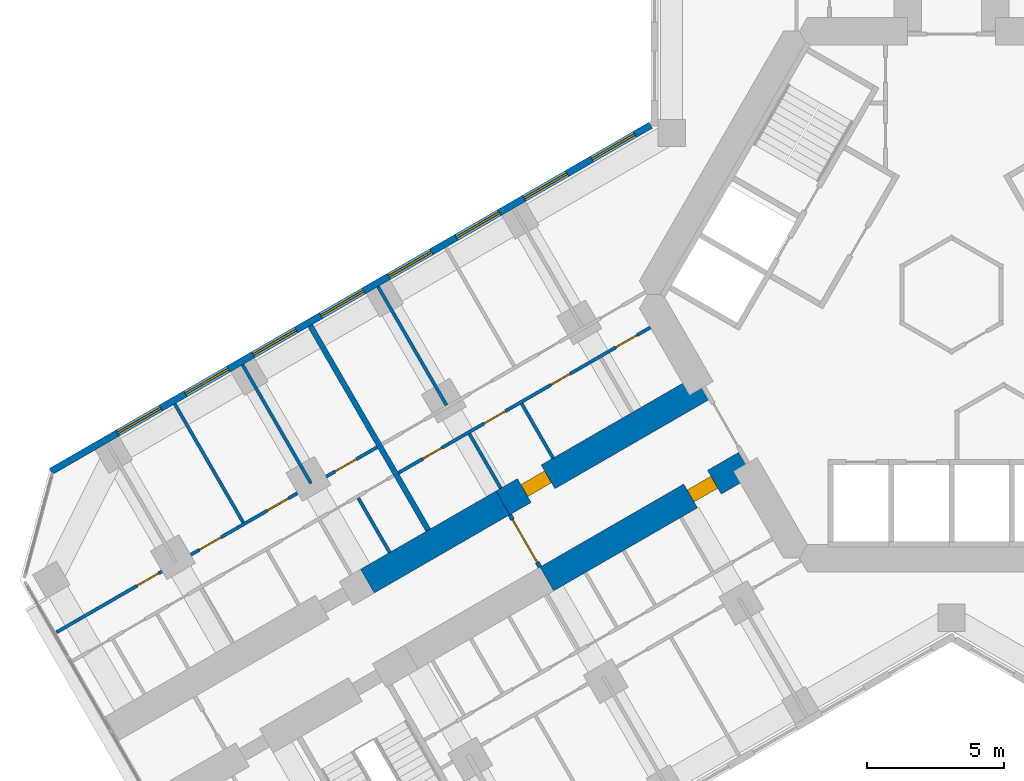
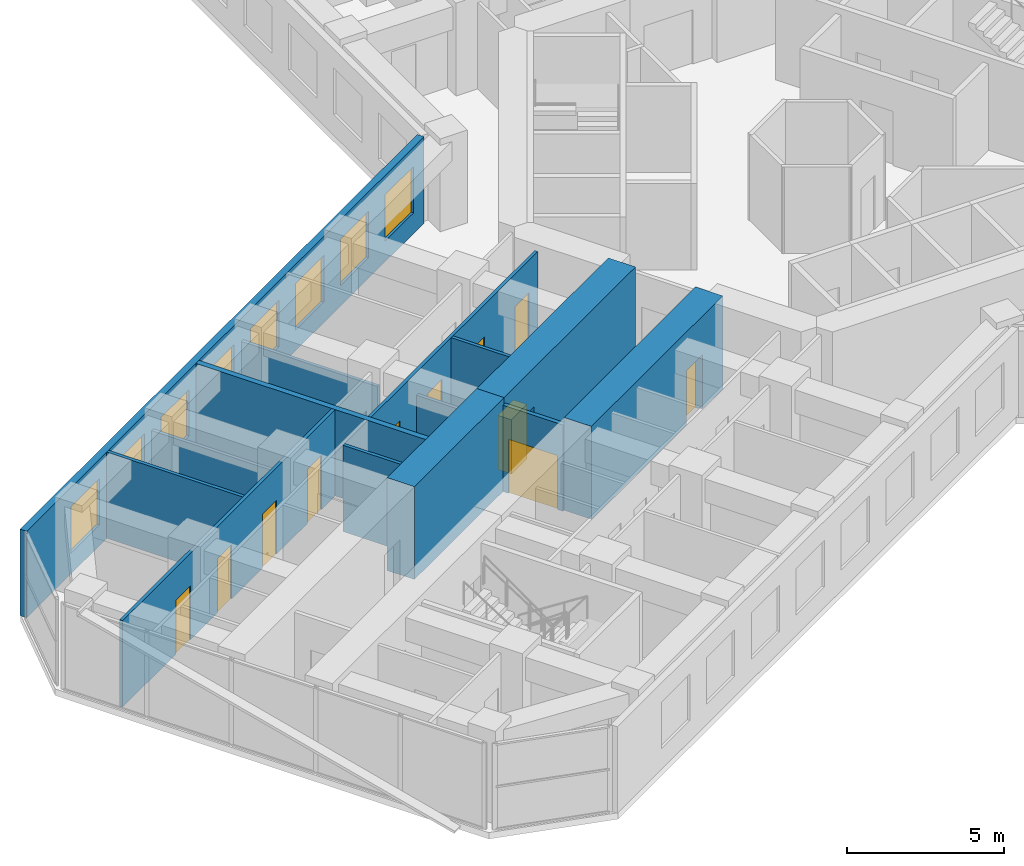
# One storey, part 12 of 21: 14 walls, 11 doors, 8 windows, 19 openings.
"""IFC4 building model written with IfcOpenShell, lengths in metres."""

from ifc_helpers import new_model, si_unit, direction, frame, frame_2d, origin, place, context, subcontext, project, spatial, rectangle, extrude, material, layer, layer_set, type_object, element, fill, save


model = new_model("IFC4")

# Units and contexts
model_context = context("Model", 3, precision=1e-05, world=origin(), true_north=direction((0.0, 1.0)))
body_context = subcontext(model_context, "Body", "Model", "MODEL_VIEW")
ifc_project = project(units=[si_unit("LENGTHUNIT", "METRE"), si_unit("AREAUNIT", "SQUARE_METRE"), si_unit("VOLUMEUNIT", "CUBIC_METRE"), si_unit("PLANEANGLEUNIT", "RADIAN"), si_unit("MASSUNIT", "GRAM", prefix="KILO")], contexts=[model_context])

# Site, building, storey
site_placement = place(None, origin())
site = spatial("IfcSite", under=ifc_project, at=site_placement, CompositionType="ELEMENT")
building_placement = place(site_placement, origin())
building = spatial("IfcBuilding", under=site, at=building_placement, Name="Kosmar Iwan School Tower", CompositionType="ELEMENT")
storey_placement = place(building_placement, frame((0.0, 0.0, 57.39990234375)))
storey = spatial("IfcBuildingStorey", under=building, at=storey_placement, Name="L13", CompositionType="ELEMENT", Elevation=57.39990234375)

# Wall, opening, door
ifc_material_1 = material(Name="Concrete C50/60", Category="concrete")
ifc_layer_1 = layer(ifc_material_1, 1.0)
ifc_layer_set_1 = layer_set([ifc_layer_1], Name="Corridor buttress wall 1000")
wall_type_1 = type_object("IfcWallType", Name="Corridor buttress wall 1000", PredefinedType="SHEAR", material=ifc_layer_set_1)
wall_1_placement = place(storey_placement, frame((-7.513916015625, -6.185546875, 0.0), z_axis=(0.0, 0.0, 1.0), x_axis=(-0.866019549707, -0.500010139422, 0.0)))
wall_1 = element("IfcWall", 1, at=wall_1_placement, inside=storey, type_object=wall_type_1, Name="Corridor wall BL", PredefinedType="SHEAR", context=body_context, shape_type="SweptSolid", body=[
    extrude(rectangle(XDim=8.349853515625, YDim=1.0, at=frame_2d((4.1748046875, 0.0))), origin(), (0.0, 0.0, 1.0), 3.60009765625),
])
opening_1_placement = place(wall_1_placement, frame((1.300048828125, 0.0, 0.0)))
opening_1 = element("IfcOpeningElement", 2, at=opening_1_placement, cuts=wall_1, Name="Opening D1", PredefinedType="OPENING", context=body_context, shape_type="SweptSolid", body=[
    extrude(rectangle(XDim=1.0, YDim=2.10009765625, at=frame_2d((0.5, 1.050048828125))), frame((0.0, 0.511962890625, 0.0), z_axis=(0.0, -1.0, 0.0), x_axis=(1.0, 0.0, 0.0)), (0.0, 0.0, 1.0), 1.02392578125),
])
ifc_material_2 = material(Name="Timber fire door in steel frame", Category="steel")
door_type_1 = type_object("IfcDoorType", Name="Flat entrance door 1000x2100", OperationType="SINGLE_SWING_LEFT", PredefinedType="DOOR", material=ifc_material_2)
door_1_placement = place(opening_1_placement, origin())
door_1 = element("IfcDoor", 3, at=door_1_placement, inside=storey, type_object=door_type_1, Name="Flat L13-BL1 entrance door", OperationType="SINGLE_SWING_RIGHT", OverallHeight=2.10009765625, OverallWidth=1.0, PredefinedType="DOOR", context=body_context, shape_type="SweptSolid", body=[
    extrude(rectangle(XDim=1.0, YDim=2.10009765625, at=frame_2d((0.5, 1.050048828125))), frame((0.0, 0.25, 0.0), z_axis=(0.0, -1.0, 0.0), x_axis=(1.0, 0.0, 0.0)), (0.0, 0.0, 1.0), 0.5),
])
fill(opening_1, door_1)

wall_2_placement = place(storey_placement, frame((-9.11376953125, -3.414306640625, 0.0), z_axis=(0.0, 0.0, 1.0), x_axis=(-0.866026859388, -0.499997478812, 0.0)))
wall_2 = element("IfcWall", 4, at=wall_2_placement, inside=storey, type_object=wall_type_1, Name="Corridor wall BR", PredefinedType="SHEAR", context=body_context, shape_type="SweptSolid", body=[
    extrude(rectangle(XDim=8.35009765625, YDim=1.0, at=frame_2d((4.175048828125, 0.0))), origin(), (0.0, 0.0, 1.0), 3.60009765625),
])
opening_2_placement = place(wall_2_placement, frame((6.449951171875, 0.0, 0.0)))
opening_2 = element("IfcOpeningElement", 5, at=opening_2_placement, cuts=wall_2, Name="Opening D1", PredefinedType="OPENING", context=body_context, shape_type="SweptSolid", body=[
    extrude(rectangle(XDim=1.0, YDim=2.10009765625, at=frame_2d((0.5, 1.050048828125))), frame((0.0, 0.511962890625, 0.0), z_axis=(0.0, -1.0, 0.0), x_axis=(1.0, 0.0, 0.0)), (0.0, 0.0, 1.0), 1.02392578125),
])
door_2_placement = place(opening_2_placement, origin())
door_2 = element("IfcDoor", 6, at=door_2_placement, inside=storey, type_object=door_type_1, Name="Flat L13-BR1 entrance door", OperationType="SINGLE_SWING_RIGHT", OverallHeight=2.10009765625, OverallWidth=1.0, PredefinedType="DOOR", context=body_context, shape_type="SweptSolid", body=[
    extrude(rectangle(XDim=1.0, YDim=2.10009765625, at=frame_2d((0.5, 1.050048828125))), frame((0.0, 0.25, 0.0), z_axis=(0.0, -1.0, 0.0), x_axis=(1.0, 0.0, 0.0)), (0.0, 0.0, 1.0), 0.5),
])
fill(opening_2, door_2)

# Wall
wall_3_placement = place(storey_placement, frame((-16.34521484375, -7.58935546875, 0.0), z_axis=(0.0, 0.0, 1.0), x_axis=(-0.866015111908, -0.50001782563, 0.0)))
element("IfcWall", 7, at=wall_3_placement, inside=storey, type_object=wall_type_1, Name="Corridor wall BR bay 2", PredefinedType="SHEAR", context=body_context, shape_type="SweptSolid", body=[
    extrude(rectangle(XDim=5.699951171875, YDim=1.0, at=frame_2d((2.85009765625, 0.0))), origin(), (0.0, 0.0, 1.0), 3.60009765625),
])

# Wall, opening, door
ifc_material_3 = material(Name="Gypsum board on steel studs, fire-rated", Category="steel")
ifc_layer_2 = layer(ifc_material_3, 0.14990234375)
ifc_layer_set_2 = layer_set([ifc_layer_2], Name="Corridor end wall 150")
wall_type_2 = type_object("IfcWallType", Name="Corridor end wall 150", PredefinedType="PARTITIONING", material=ifc_layer_set_2)
wall_4_placement = place(storey_placement, frame((-16.09521484375, -8.0224609375, 0.0), z_axis=(0.0, 0.0, 1.0), x_axis=(0.50002983664, -0.866008176907, 0.0)))
wall_4 = element("IfcWall", 8, at=wall_4_placement, inside=storey, type_object=wall_type_2, Name="Partition L13-B-HW", PredefinedType="PARTITIONING", context=body_context, shape_type="SweptSolid", body=[
    extrude(rectangle(XDim=2.199951171875, YDim=0.14990234375, at=frame_2d((1.10009765625, 0.0))), origin(), (0.0, 0.0, 1.0), 3.35009765625),
])
opening_3_placement = place(wall_4_placement, frame((0.199951171875, 0.0, 0.0)))
opening_3 = element("IfcOpeningElement", 9, at=opening_3_placement, cuts=wall_4, Name="Opening D9", PredefinedType="OPENING", context=body_context, shape_type="SweptSolid", body=[
    extrude(rectangle(XDim=1.800048828125, YDim=2.10009765625, at=frame_2d((0.89990234375, 1.050048828125))), frame((0.0, 0.0869140625, 0.0), z_axis=(0.0, -1.0, 0.0), x_axis=(1.0, 0.0, 0.0)), (0.0, 0.0, 1.0), 0.173828125),
])
ifc_material_4 = material(Name="Steel framed glazed smoke door", Category="steel")
door_type_2 = type_object("IfcDoorType", Name="Corridor smoke door pair 1800x2100", OperationType="DOUBLE_DOOR_DOUBLE_SWING", PredefinedType="DOOR", material=ifc_material_4)
door_3_placement = place(opening_3_placement, origin())
door_3 = element("IfcDoor", 10, at=door_3_placement, inside=storey, type_object=door_type_2, Name="Entrance vestibule smoke doors L13-B", OperationType="DOUBLE_DOOR_DOUBLE_SWING", OverallHeight=2.10009765625, OverallWidth=1.800048828125, PredefinedType="DOOR", context=body_context, shape_type="SweptSolid", body=[
    extrude(rectangle(XDim=1.800048828125, YDim=2.10009765625, at=frame_2d((0.89990234375, 1.050048828125))), frame((0.0, 0.02490234375, 0.0), z_axis=(0.0, -1.0, 0.0), x_axis=(1.0, 0.0, 0.0)), (0.0, 0.0, 1.0), 0.050048828125),
])
fill(opening_3, door_3)

# Wall, openings, doors
ifc_material_5 = material(Name="Gypsum board on steel studs", Category="steel")
ifc_layer_3 = layer(ifc_material_5, 0.1201171875)
ifc_layer_set_3 = layer_set([ifc_layer_3], Name="Dwelling partition 120")
wall_type_3 = type_object("IfcWallType", Name="Dwelling partition 120", PredefinedType="PARTITIONING", material=ifc_layer_set_3)
wall_5_placement = place(storey_placement, frame((-10.971923828125, -1.1962890625, 0.0), z_axis=(0.0, 0.0, 1.0), x_axis=(-0.866034853001, -0.49998363312, 0.0)))
wall_5 = element("IfcWall", 11, at=wall_5_placement, inside=storey, type_object=wall_type_3, Name="Partition L13-BR1-W1", PredefinedType="PARTITIONING", context=body_context, shape_type="SweptSolid", body=[
    extrude(rectangle(XDim=10.599853515625, YDim=0.1201171875, at=frame_2d((5.2998046875, 0.0))), origin(), (0.0, 0.0, 1.0), 3.35009765625),
])
opening_4_placement = place(wall_5_placement, frame((0.56005859375, 0.0, 0.0)))
opening_4 = element("IfcOpeningElement", 12, at=opening_4_placement, cuts=wall_5, Name="Opening D2", PredefinedType="OPENING", context=body_context, shape_type="SweptSolid", body=[
    extrude(rectangle(XDim=0.89990234375, YDim=2.10009765625, at=frame_2d((0.449951171875, 1.050048828125))), frame((0.0, 0.072021484375, 0.0), z_axis=(0.0, -1.0, 0.0), x_axis=(1.0, 0.0, 0.0)), (0.0, 0.0, 1.0), 0.14404296875),
])
opening_5_placement = place(wall_5_placement, frame((3.385009765625, 0.0, 0.0)))
opening_5 = element("IfcOpeningElement", 13, at=opening_5_placement, cuts=wall_5, Name="Opening D3", PredefinedType="OPENING", context=body_context, shape_type="SweptSolid", body=[
    extrude(rectangle(XDim=0.800048828125, YDim=2.10009765625, at=frame_2d((0.39990234375, 1.050048828125))), frame((0.0, 0.072021484375, 0.0), z_axis=(0.0, -1.0, 0.0), x_axis=(1.0, 0.0, 0.0)), (0.0, 0.0, 1.0), 0.14404296875),
])
opening_6_placement = place(wall_5_placement, frame((6.10009765625, 0.0, 0.0)))
opening_6 = element("IfcOpeningElement", 14, at=opening_6_placement, cuts=wall_5, Name="Opening D2", PredefinedType="OPENING", context=body_context, shape_type="SweptSolid", body=[
    extrude(rectangle(XDim=0.89990234375, YDim=2.10009765625, at=frame_2d((0.449951171875, 1.050048828125))), frame((0.0, 0.072021484375, 0.0), z_axis=(0.0, -1.0, 0.0), x_axis=(1.0, 0.0, 0.0)), (0.0, 0.0, 1.0), 0.14404296875),
])
opening_7_placement = place(wall_5_placement, frame((8.77490234375, 0.0, 0.0)))
opening_7 = element("IfcOpeningElement", 15, at=opening_7_placement, cuts=wall_5, Name="Opening D3", PredefinedType="OPENING", context=body_context, shape_type="SweptSolid", body=[
    extrude(rectangle(XDim=0.800048828125, YDim=2.10009765625, at=frame_2d((0.39990234375, 1.050048828125))), frame((0.0, 0.072021484375, 0.0), z_axis=(0.0, -1.0, 0.0), x_axis=(1.0, 0.0, 0.0)), (0.0, 0.0, 1.0), 0.14404296875),
])
ifc_material_6 = material(Name="Timber door in timber frame", Category="wood")
door_type_3 = type_object("IfcDoorType", Name="Internal door 900x2100", OperationType="SINGLE_SWING_LEFT", PredefinedType="DOOR", material=ifc_material_6)
door_4_placement = place(opening_4_placement, origin())
door_4 = element("IfcDoor", 16, at=door_4_placement, inside=storey, type_object=door_type_3, Name="Pantry door L13-BR1-S1", OperationType="SINGLE_SWING_LEFT", OverallHeight=2.10009765625, OverallWidth=0.89990234375, PredefinedType="DOOR", context=body_context, shape_type="SweptSolid", body=[
    extrude(rectangle(XDim=0.89990234375, YDim=2.10009765625, at=frame_2d((0.449951171875, 1.050048828125))), frame((0.0, 0.02490234375, 0.0), z_axis=(0.0, -1.0, 0.0), x_axis=(1.0, 0.0, 0.0)), (0.0, 0.0, 1.0), 0.050048828125),
])
fill(opening_4, door_4)
door_5_placement = place(opening_6_placement, origin())
door_5 = element("IfcDoor", 17, at=door_5_placement, inside=storey, type_object=door_type_3, Name="Entrance hall door L13-BR1-S3", OperationType="SINGLE_SWING_LEFT", OverallHeight=2.10009765625, OverallWidth=0.89990234375, PredefinedType="DOOR", context=body_context, shape_type="SweptSolid", body=[
    extrude(rectangle(XDim=0.89990234375, YDim=2.10009765625, at=frame_2d((0.449951171875, 1.050048828125))), frame((0.0, 0.02490234375, 0.0), z_axis=(0.0, -1.0, 0.0), x_axis=(1.0, 0.0, 0.0)), (0.0, 0.0, 1.0), 0.050048828125),
])
fill(opening_6, door_5)
ifc_material_7 = material(Name="Timber door in timber frame", Category="wood")
door_type_4 = type_object("IfcDoorType", Name="Sanitary room door 800x2100", OperationType="SINGLE_SWING_LEFT", PredefinedType="DOOR", material=ifc_material_7)
door_6_placement = place(opening_5_placement, origin())
door_6 = element("IfcDoor", 18, at=door_6_placement, inside=storey, type_object=door_type_4, Name="Bathroom door L13-BR1-S2", OperationType="SINGLE_SWING_RIGHT", OverallHeight=2.10009765625, OverallWidth=0.800048828125, PredefinedType="DOOR", context=body_context, shape_type="SweptSolid", body=[
    extrude(rectangle(XDim=0.800048828125, YDim=2.10009765625, at=frame_2d((0.39990234375, 1.050048828125))), frame((0.0, 0.02490234375, 0.0), z_axis=(0.0, -1.0, 0.0), x_axis=(1.0, 0.0, 0.0)), (0.0, 0.0, 1.0), 0.050048828125),
])
fill(opening_5, door_6)
door_7_placement = place(opening_7_placement, origin())
door_7 = element("IfcDoor", 19, at=door_7_placement, inside=storey, type_object=door_type_4, Name="WC door L13-BR1-S4", OperationType="SINGLE_SWING_RIGHT", OverallHeight=2.10009765625, OverallWidth=0.800048828125, PredefinedType="DOOR", context=body_context, shape_type="SweptSolid", body=[
    extrude(rectangle(XDim=0.800048828125, YDim=2.10009765625, at=frame_2d((0.39990234375, 1.050048828125))), frame((0.0, 0.02490234375, 0.0), z_axis=(0.0, -1.0, 0.0), x_axis=(1.0, 0.0, 0.0)), (0.0, 0.0, 1.0), 0.050048828125),
])
fill(opening_7, door_7)

# Walls
wall_6_placement = place(storey_placement, frame((-18.400146484375, -4.030029296875, 0.0), z_axis=(0.0, 0.0, 1.0), x_axis=(-0.500011847778, 0.866018563358, 0.0)))
element("IfcWall", 20, at=wall_6_placement, inside=storey, type_object=wall_type_3, Name="Partition L13-BR1-X3", PredefinedType="PARTITIONING", context=body_context, shape_type="SweptSolid", body=[
    extrude(rectangle(XDim=4.990234375, YDim=0.1201171875, at=frame_2d((2.4951171875, 0.0))), origin(), (0.0, 0.0, 1.0), 2.4501953125),
])
wall_7_placement = place(storey_placement, frame((-14.5166015625, -5.956298828125, 0.0), z_axis=(0.0, 0.0, 1.0), x_axis=(-0.500014693593, 0.866016920268, 0.0)))
element("IfcWall", 21, at=wall_7_placement, inside=storey, type_object=wall_type_3, Name="Partition L13-BR1-Y2", PredefinedType="PARTITIONING", context=body_context, shape_type="SweptSolid", body=[
    extrude(rectangle(XDim=2.2900390625, YDim=0.1201171875, at=frame_2d((1.14501953125, 0.0))), origin(), (0.0, 0.0, 1.0), 3.35009765625),
])
wall_8_placement = place(storey_placement, frame((-16.421875, -7.056396484375, 0.0), z_axis=(0.0, 0.0, 1.0), x_axis=(-0.500014693593, 0.866016920268, 0.0)))
element("IfcWall", 22, at=wall_8_placement, inside=storey, type_object=wall_type_3, Name="Partition L13-BR1-Y3", PredefinedType="PARTITIONING", context=body_context, shape_type="SweptSolid", body=[
    extrude(rectangle(XDim=2.2900390625, YDim=0.1201171875, at=frame_2d((1.14501953125, 0.0))), origin(), (0.0, 0.0, 1.0), 2.4501953125),
])

# Wall, openings, doors
wall_9_placement = place(storey_placement, frame((-20.9248046875, -5.556884765625, 0.0), z_axis=(0.0, 0.0, 1.0), x_axis=(-0.866028025956, -0.499995458239, 0.0)))
wall_9 = element("IfcWall", 23, at=wall_9_placement, inside=storey, type_object=wall_type_3, Name="Partition L13-BR2-W2", PredefinedType="PARTITIONING", context=body_context, shape_type="SweptSolid", body=[
    extrude(rectangle(XDim=13.495361328125, YDim=0.1201171875, at=frame_2d((6.74755859375, 0.0))), origin(), (0.0, 0.0, 1.0), 3.35009765625),
])
opening_8_placement = place(wall_9_placement, frame((0.875, 0.0, 0.0)))
opening_8 = element("IfcOpeningElement", 24, at=opening_8_placement, cuts=wall_9, Name="Opening D2", PredefinedType="OPENING", context=body_context, shape_type="SweptSolid", body=[
    extrude(rectangle(XDim=0.89990234375, YDim=2.10009765625, at=frame_2d((0.449951171875, 1.050048828125))), frame((0.0, 0.072021484375, 0.0), z_axis=(0.0, -1.0, 0.0), x_axis=(1.0, 0.0, 0.0)), (0.0, 0.0, 1.0), 0.14404296875),
])
opening_9_placement = place(wall_9_placement, frame((3.72509765625, 0.0, 0.0)))
opening_9 = element("IfcOpeningElement", 25, at=opening_9_placement, cuts=wall_9, Name="Opening D2", PredefinedType="OPENING", context=body_context, shape_type="SweptSolid", body=[
    extrude(rectangle(XDim=0.89990234375, YDim=2.10009765625, at=frame_2d((0.449951171875, 1.050048828125))), frame((0.0, 0.072021484375, 0.0), z_axis=(0.0, -1.0, 0.0), x_axis=(1.0, 0.0, 0.0)), (0.0, 0.0, 1.0), 0.14404296875),
])
opening_10_placement = place(wall_9_placement, frame((6.574951171875, 0.0, 0.0)))
opening_10 = element("IfcOpeningElement", 26, at=opening_10_placement, cuts=wall_9, Name="Opening D2", PredefinedType="OPENING", context=body_context, shape_type="SweptSolid", body=[
    extrude(rectangle(XDim=0.89990234375, YDim=2.10009765625, at=frame_2d((0.449951171875, 1.050048828125))), frame((0.0, 0.072021484375, 0.0), z_axis=(0.0, -1.0, 0.0), x_axis=(1.0, 0.0, 0.0)), (0.0, 0.0, 1.0), 0.14404296875),
])
opening_11_placement = place(wall_9_placement, frame((9.199951171875, 0.0, 0.0)))
opening_11 = element("IfcOpeningElement", 27, at=opening_11_placement, cuts=wall_9, Name="Opening D2", PredefinedType="OPENING", context=body_context, shape_type="SweptSolid", body=[
    extrude(rectangle(XDim=0.89990234375, YDim=2.10009765625, at=frame_2d((0.449951171875, 1.050048828125))), frame((0.0, 0.072021484375, 0.0), z_axis=(0.0, -1.0, 0.0), x_axis=(1.0, 0.0, 0.0)), (0.0, 0.0, 1.0), 0.14404296875),
])
door_8_placement = place(opening_8_placement, origin())
door_8 = element("IfcDoor", 28, at=door_8_placement, inside=storey, type_object=door_type_3, Name="Study door L13-BR2-F1", OperationType="SINGLE_SWING_LEFT", OverallHeight=2.10009765625, OverallWidth=0.89990234375, PredefinedType="DOOR", context=body_context, shape_type="SweptSolid", body=[
    extrude(rectangle(XDim=0.89990234375, YDim=2.10009765625, at=frame_2d((0.449951171875, 1.050048828125))), frame((0.0, 0.02490234375, 0.0), z_axis=(0.0, -1.0, 0.0), x_axis=(1.0, 0.0, 0.0)), (0.0, 0.0, 1.0), 0.050048828125),
])
fill(opening_8, door_8)
door_9_placement = place(opening_9_placement, origin())
door_9 = element("IfcDoor", 29, at=door_9_placement, inside=storey, type_object=door_type_3, Name="Bedroom 1 door L13-BR2-F2", OperationType="SINGLE_SWING_LEFT", OverallHeight=2.10009765625, OverallWidth=0.89990234375, PredefinedType="DOOR", context=body_context, shape_type="SweptSolid", body=[
    extrude(rectangle(XDim=0.89990234375, YDim=2.10009765625, at=frame_2d((0.449951171875, 1.050048828125))), frame((0.0, 0.02490234375, 0.0), z_axis=(0.0, -1.0, 0.0), x_axis=(1.0, 0.0, 0.0)), (0.0, 0.0, 1.0), 0.050048828125),
])
fill(opening_9, door_9)
door_10_placement = place(opening_10_placement, origin())
door_10 = element("IfcDoor", 30, at=door_10_placement, inside=storey, type_object=door_type_3, Name="Bedroom 2 door L13-BR2-F3", OperationType="SINGLE_SWING_RIGHT", OverallHeight=2.10009765625, OverallWidth=0.89990234375, PredefinedType="DOOR", context=body_context, shape_type="SweptSolid", body=[
    extrude(rectangle(XDim=0.89990234375, YDim=2.10009765625, at=frame_2d((0.449951171875, 1.050048828125))), frame((0.0, 0.02490234375, 0.0), z_axis=(0.0, -1.0, 0.0), x_axis=(1.0, 0.0, 0.0)), (0.0, 0.0, 1.0), 0.050048828125),
])
fill(opening_10, door_10)
door_11_placement = place(opening_11_placement, origin())
door_11 = element("IfcDoor", 31, at=door_11_placement, inside=storey, type_object=door_type_3, Name="Living room and kitchen door L13-BR2-F4", OperationType="SINGLE_SWING_RIGHT", OverallHeight=2.10009765625, OverallWidth=0.89990234375, PredefinedType="DOOR", context=body_context, shape_type="SweptSolid", body=[
    extrude(rectangle(XDim=0.89990234375, YDim=2.10009765625, at=frame_2d((0.449951171875, 1.050048828125))), frame((0.0, 0.02490234375, 0.0), z_axis=(0.0, -1.0, 0.0), x_axis=(1.0, 0.0, 0.0)), (0.0, 0.0, 1.0), 0.050048828125),
])
fill(opening_11, door_11)

# Walls
wall_10_placement = place(storey_placement, frame((-23.33642578125, -6.8798828125, 0.0), z_axis=(0.0, 0.0, 1.0), x_axis=(-0.500033033937, 0.866006330792, 0.0)))
element("IfcWall", 32, at=wall_10_placement, inside=storey, type_object=wall_type_3, Name="Partition L13-BR2-X1", PredefinedType="PARTITIONING", context=body_context, shape_type="SweptSolid", body=[
    extrude(rectangle(XDim=4.989990234375, YDim=0.1201171875, at=frame_2d((2.4951171875, 0.0))), origin(), (0.0, 0.0, 1.0), 2.4501953125),
])
wall_11_placement = place(storey_placement, frame((-25.8046875, -8.304931640625, 0.0), z_axis=(0.0, 0.0, 1.0), x_axis=(-0.499975153383, 0.86603974851, 0.0)))
element("IfcWall", 33, at=wall_11_placement, inside=storey, type_object=wall_type_3, Name="Partition L13-BR2-X2", PredefinedType="PARTITIONING", context=body_context, shape_type="SweptSolid", body=[
    extrude(rectangle(XDim=4.989990234375, YDim=0.1201171875, at=frame_2d((2.4951171875, 0.0))), origin(), (0.0, 0.0, 1.0), 3.35009765625),
])
wall_12_placement = place(storey_placement, frame((-20.470703125, -9.393798828125, 0.0), z_axis=(0.0, 0.0, 1.0), x_axis=(-0.500014693593, 0.866016920268, 0.0)))
element("IfcWall", 34, at=wall_12_placement, inside=storey, type_object=wall_type_3, Name="Partition L13-BR2-Y1", PredefinedType="PARTITIONING", context=body_context, shape_type="SweptSolid", body=[
    extrude(rectangle(XDim=2.2900390625, YDim=0.1201171875, at=frame_2d((1.14501953125, 0.0))), origin(), (0.0, 0.0, 1.0), 3.35009765625),
])

# Wall, openings, windows
ifc_material_8 = material(Name="Black aluminium rainscreen on insulated framing", Category="aluminium")
ifc_layer_4 = layer(ifc_material_8, 0.25)
ifc_layer_set_4 = layer_set([ifc_layer_4], Name="External wall rainscreen 250")
wall_type_4 = type_object("IfcWallType", Name="External wall rainscreen 250", PredefinedType="SOLIDWALL", material=ifc_layer_set_4)
wall_13_placement = place(storey_placement, frame((-10.962890625, 6.170166015625, 0.0), z_axis=(0.0, 0.0, 1.0), x_axis=(-0.86602796634, -0.499995561497, 0.0)))
wall_13 = element("IfcWall", 35, at=wall_13_placement, inside=storey, type_object=wall_type_4, Name="External wall BR L13", PredefinedType="SOLIDWALL", context=body_context, shape_type="SweptSolid", body=[
    extrude(rectangle(XDim=25.226318359375, YDim=0.25, at=frame_2d((12.61328125, 0.0))), origin(), (0.0, 0.0, 1.0), 3.35009765625),
])
opening_12_placement = place(wall_13_placement, frame((0.666015625, 0.0, 0.800048828125)))
opening_12 = element("IfcOpeningElement", 36, at=opening_12_placement, cuts=wall_13, Name="Opening W1", PredefinedType="OPENING", context=body_context, shape_type="SweptSolid", body=[
    extrude(rectangle(XDim=1.800048828125, YDim=1.800048828125, at=frame_2d((0.89990234375, 0.89990234375))), frame((0.0, 0.136962890625, 0.0), z_axis=(0.0, -1.0, 0.0), x_axis=(1.0, 0.0, 0.0)), (0.0, 0.0, 1.0), 0.27392578125),
])
opening_13_placement = place(wall_13_placement, frame((3.51611328125, 0.0, 0.800048828125)))
opening_13 = element("IfcOpeningElement", 37, at=opening_13_placement, cuts=wall_13, Name="Opening W1", PredefinedType="OPENING", context=body_context, shape_type="SweptSolid", body=[
    extrude(rectangle(XDim=1.800048828125, YDim=1.800048828125, at=frame_2d((0.89990234375, 0.89990234375))), frame((0.0, 0.136962890625, 0.0), z_axis=(0.0, -1.0, 0.0), x_axis=(1.0, 0.0, 0.0)), (0.0, 0.0, 1.0), 0.27392578125),
])
opening_14_placement = place(wall_13_placement, frame((6.365966796875, 0.0, 0.800048828125)))
opening_14 = element("IfcOpeningElement", 38, at=opening_14_placement, cuts=wall_13, Name="Opening W1", PredefinedType="OPENING", context=body_context, shape_type="SweptSolid", body=[
    extrude(rectangle(XDim=1.800048828125, YDim=1.800048828125, at=frame_2d((0.89990234375, 0.89990234375))), frame((0.0, 0.136962890625, 0.0), z_axis=(0.0, -1.0, 0.0), x_axis=(1.0, 0.0, 0.0)), (0.0, 0.0, 1.0), 0.27392578125),
])
opening_15_placement = place(wall_13_placement, frame((9.216064453125, 0.0, 0.800048828125)))
opening_15 = element("IfcOpeningElement", 39, at=opening_15_placement, cuts=wall_13, Name="Opening W1", PredefinedType="OPENING", context=body_context, shape_type="SweptSolid", body=[
    extrude(rectangle(XDim=1.800048828125, YDim=1.800048828125, at=frame_2d((0.89990234375, 0.89990234375))), frame((0.0, 0.136962890625, 0.0), z_axis=(0.0, -1.0, 0.0), x_axis=(1.0, 0.0, 0.0)), (0.0, 0.0, 1.0), 0.27392578125),
])
opening_16_placement = place(wall_13_placement, frame((12.06591796875, 0.0, 0.800048828125)))
opening_16 = element("IfcOpeningElement", 40, at=opening_16_placement, cuts=wall_13, Name="Opening W1", PredefinedType="OPENING", context=body_context, shape_type="SweptSolid", body=[
    extrude(rectangle(XDim=1.800048828125, YDim=1.800048828125, at=frame_2d((0.89990234375, 0.89990234375))), frame((0.0, 0.136962890625, 0.0), z_axis=(0.0, -1.0, 0.0), x_axis=(1.0, 0.0, 0.0)), (0.0, 0.0, 1.0), 0.27392578125),
])
opening_17_placement = place(wall_13_placement, frame((14.916015625, 0.0, 0.800048828125)))
opening_17 = element("IfcOpeningElement", 41, at=opening_17_placement, cuts=wall_13, Name="Opening W1", PredefinedType="OPENING", context=body_context, shape_type="SweptSolid", body=[
    extrude(rectangle(XDim=1.800048828125, YDim=1.800048828125, at=frame_2d((0.89990234375, 0.89990234375))), frame((0.0, 0.136962890625, 0.0), z_axis=(0.0, -1.0, 0.0), x_axis=(1.0, 0.0, 0.0)), (0.0, 0.0, 1.0), 0.27392578125),
])
opening_18_placement = place(wall_13_placement, frame((17.76611328125, 0.0, 0.800048828125)))
opening_18 = element("IfcOpeningElement", 42, at=opening_18_placement, cuts=wall_13, Name="Opening W1", PredefinedType="OPENING", context=body_context, shape_type="SweptSolid", body=[
    extrude(rectangle(XDim=1.800048828125, YDim=1.800048828125, at=frame_2d((0.89990234375, 0.89990234375))), frame((0.0, 0.136962890625, 0.0), z_axis=(0.0, -1.0, 0.0), x_axis=(1.0, 0.0, 0.0)), (0.0, 0.0, 1.0), 0.27392578125),
])
opening_19_placement = place(wall_13_placement, frame((20.615966796875, 0.0, 0.800048828125)))
opening_19 = element("IfcOpeningElement", 43, at=opening_19_placement, cuts=wall_13, Name="Opening W1", PredefinedType="OPENING", context=body_context, shape_type="SweptSolid", body=[
    extrude(rectangle(XDim=1.800048828125, YDim=1.800048828125, at=frame_2d((0.89990234375, 0.89990234375))), frame((0.0, 0.136962890625, 0.0), z_axis=(0.0, -1.0, 0.0), x_axis=(1.0, 0.0, 0.0)), (0.0, 0.0, 1.0), 0.27392578125),
])
ifc_material_9 = material(Name="Black aluminium frame with dark triple glazing", Category="aluminium")
window_type = type_object("IfcWindowType", Name="Window 1800x1800", PartitioningType="SINGLE_PANEL", PredefinedType="WINDOW", material=ifc_material_9)
window_1_placement = place(opening_12_placement, origin())
window_1 = element("IfcWindow", 44, at=window_1_placement, inside=storey, type_object=window_type, Name="Window BR L13 -1", OverallHeight=1.800048828125, OverallWidth=1.800048828125, PartitioningType="SINGLE_PANEL", PredefinedType="WINDOW", context=body_context, shape_type="SweptSolid", body=[
    extrude(rectangle(XDim=1.800048828125, YDim=1.800048828125, at=frame_2d((0.89990234375, 0.89990234375))), frame((0.0, 0.030029296875, 0.0), z_axis=(0.0, -1.0, 0.0), x_axis=(1.0, 0.0, 0.0)), (0.0, 0.0, 1.0), 0.06005859375),
])
fill(opening_12, window_1)
window_2_placement = place(opening_13_placement, origin())
window_2 = element("IfcWindow", 45, at=window_2_placement, inside=storey, type_object=window_type, Name="Window BR L13 0", OverallHeight=1.800048828125, OverallWidth=1.800048828125, PartitioningType="SINGLE_PANEL", PredefinedType="WINDOW", context=body_context, shape_type="SweptSolid", body=[
    extrude(rectangle(XDim=1.800048828125, YDim=1.800048828125, at=frame_2d((0.89990234375, 0.89990234375))), frame((0.0, 0.030029296875, 0.0), z_axis=(0.0, -1.0, 0.0), x_axis=(1.0, 0.0, 0.0)), (0.0, 0.0, 1.0), 0.06005859375),
])
fill(opening_13, window_2)
window_3_placement = place(opening_14_placement, origin())
window_3 = element("IfcWindow", 46, at=window_3_placement, inside=storey, type_object=window_type, Name="Window BR L13 1", OverallHeight=1.800048828125, OverallWidth=1.800048828125, PartitioningType="SINGLE_PANEL", PredefinedType="WINDOW", context=body_context, shape_type="SweptSolid", body=[
    extrude(rectangle(XDim=1.800048828125, YDim=1.800048828125, at=frame_2d((0.89990234375, 0.89990234375))), frame((0.0, 0.030029296875, 0.0), z_axis=(0.0, -1.0, 0.0), x_axis=(1.0, 0.0, 0.0)), (0.0, 0.0, 1.0), 0.06005859375),
])
fill(opening_14, window_3)
window_4_placement = place(opening_15_placement, origin())
window_4 = element("IfcWindow", 47, at=window_4_placement, inside=storey, type_object=window_type, Name="Window BR L13 2", OverallHeight=1.800048828125, OverallWidth=1.800048828125, PartitioningType="SINGLE_PANEL", PredefinedType="WINDOW", context=body_context, shape_type="SweptSolid", body=[
    extrude(rectangle(XDim=1.800048828125, YDim=1.800048828125, at=frame_2d((0.89990234375, 0.89990234375))), frame((0.0, 0.030029296875, 0.0), z_axis=(0.0, -1.0, 0.0), x_axis=(1.0, 0.0, 0.0)), (0.0, 0.0, 1.0), 0.06005859375),
])
fill(opening_15, window_4)
window_5_placement = place(opening_16_placement, origin())
window_5 = element("IfcWindow", 48, at=window_5_placement, inside=storey, type_object=window_type, Name="Window BR L13 3", OverallHeight=1.800048828125, OverallWidth=1.800048828125, PartitioningType="SINGLE_PANEL", PredefinedType="WINDOW", context=body_context, shape_type="SweptSolid", body=[
    extrude(rectangle(XDim=1.800048828125, YDim=1.800048828125, at=frame_2d((0.89990234375, 0.89990234375))), frame((0.0, 0.030029296875, 0.0), z_axis=(0.0, -1.0, 0.0), x_axis=(1.0, 0.0, 0.0)), (0.0, 0.0, 1.0), 0.06005859375),
])
fill(opening_16, window_5)
window_6_placement = place(opening_17_placement, origin())
window_6 = element("IfcWindow", 49, at=window_6_placement, inside=storey, type_object=window_type, Name="Window BR L13 4", OverallHeight=1.800048828125, OverallWidth=1.800048828125, PartitioningType="SINGLE_PANEL", PredefinedType="WINDOW", context=body_context, shape_type="SweptSolid", body=[
    extrude(rectangle(XDim=1.800048828125, YDim=1.800048828125, at=frame_2d((0.89990234375, 0.89990234375))), frame((0.0, 0.030029296875, 0.0), z_axis=(0.0, -1.0, 0.0), x_axis=(1.0, 0.0, 0.0)), (0.0, 0.0, 1.0), 0.06005859375),
])
fill(opening_17, window_6)
window_7_placement = place(opening_18_placement, origin())
window_7 = element("IfcWindow", 50, at=window_7_placement, inside=storey, type_object=window_type, Name="Window BR L13 5", OverallHeight=1.800048828125, OverallWidth=1.800048828125, PartitioningType="SINGLE_PANEL", PredefinedType="WINDOW", context=body_context, shape_type="SweptSolid", body=[
    extrude(rectangle(XDim=1.800048828125, YDim=1.800048828125, at=frame_2d((0.89990234375, 0.89990234375))), frame((0.0, 0.030029296875, 0.0), z_axis=(0.0, -1.0, 0.0), x_axis=(1.0, 0.0, 0.0)), (0.0, 0.0, 1.0), 0.06005859375),
])
fill(opening_18, window_7)
window_8_placement = place(opening_19_placement, origin())
window_8 = element("IfcWindow", 51, at=window_8_placement, inside=storey, type_object=window_type, Name="Window BR L13 6", OverallHeight=1.800048828125, OverallWidth=1.800048828125, PartitioningType="SINGLE_PANEL", PredefinedType="WINDOW", context=body_context, shape_type="SweptSolid", body=[
    extrude(rectangle(XDim=1.800048828125, YDim=1.800048828125, at=frame_2d((0.89990234375, 0.89990234375))), frame((0.0, 0.030029296875, 0.0), z_axis=(0.0, -1.0, 0.0), x_axis=(1.0, 0.0, 0.0)), (0.0, 0.0, 1.0), 0.06005859375),
])
fill(opening_19, window_8)

# Wall
ifc_material_10 = material(Name="Concrete block masonry", Category="masonry")
ifc_layer_5 = layer(ifc_material_10, 0.199951171875)
ifc_layer_set_5 = layer_set([ifc_layer_5], Name="Party wall 200")
wall_type_5 = type_object("IfcWallType", Name="Party wall 200", PredefinedType="PARTITIONING", material=ifc_layer_set_5)
wall_14_placement = place(storey_placement, frame((-19.063232421875, -8.581298828125, 0.0), z_axis=(0.0, 0.0, 1.0), x_axis=(-0.500007509209, 0.866021068297, 0.0)))
element("IfcWall", 52, at=wall_14_placement, inside=storey, type_object=wall_type_5, Name="Partition L13-BR2-PW", PredefinedType="PARTITIONING", context=body_context, shape_type="SweptSolid", body=[
    extrude(rectangle(XDim=8.599853515625, YDim=0.199951171875, at=frame_2d((4.2998046875, 0.0))), origin(), (0.0, 0.0, 1.0), 3.35009765625),
])

save(model, "model.ifc")
